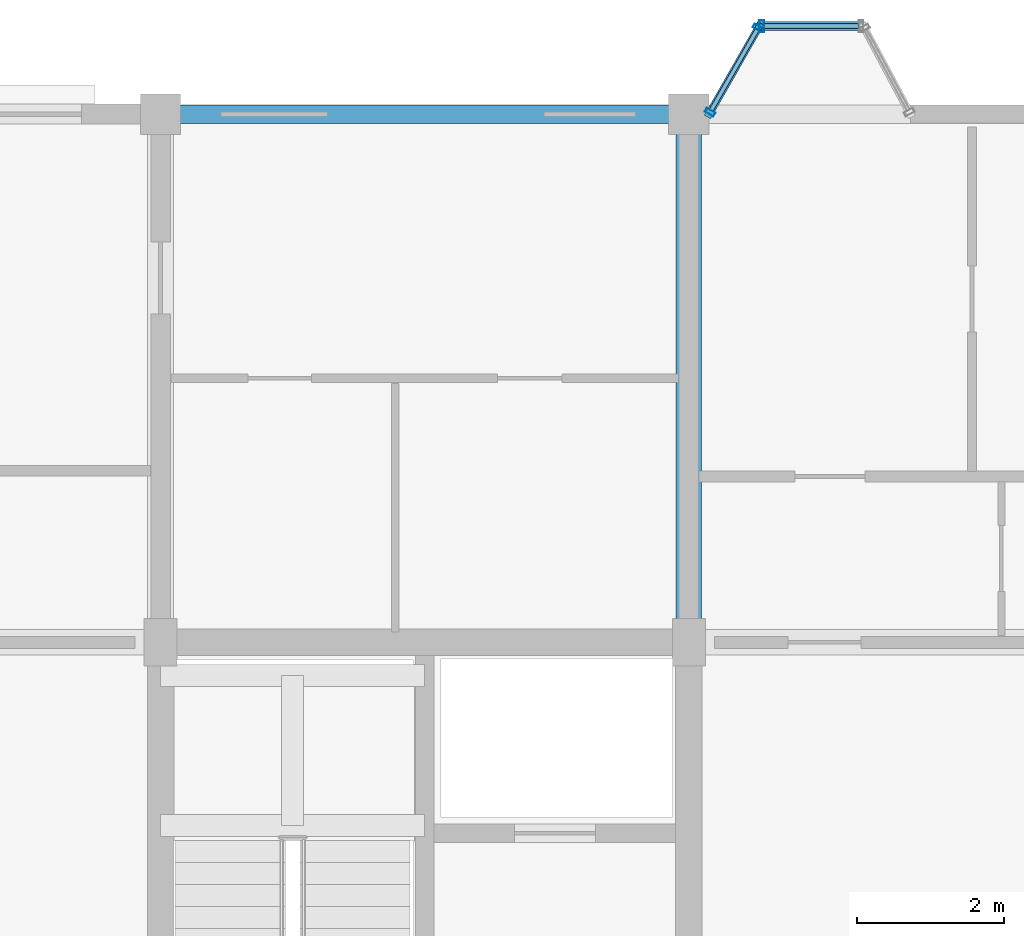
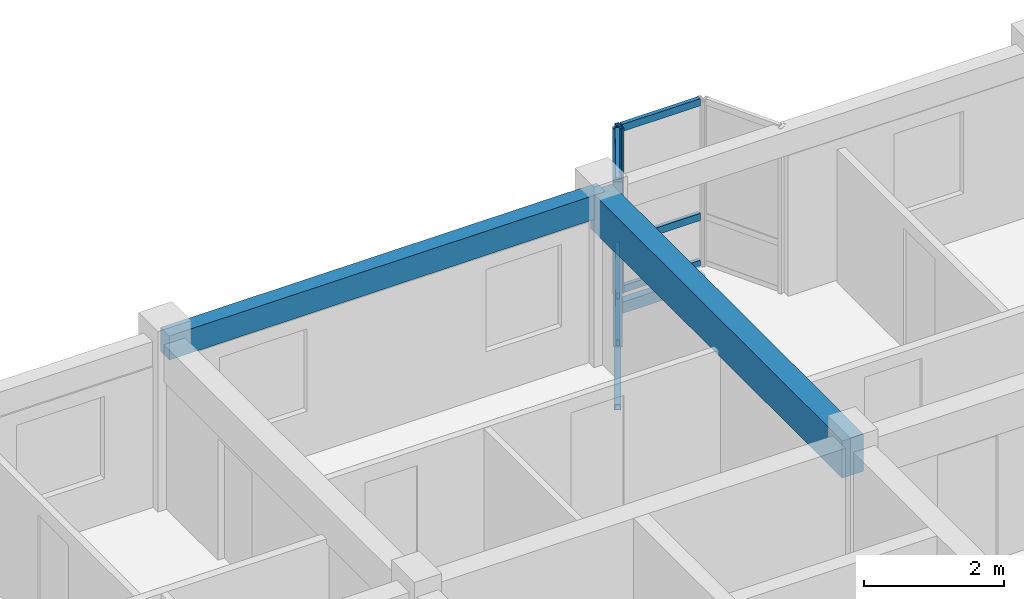
# One storey, part 43 of 77: 11 members, 2 beams, 2 elements without a shape of their own.
"""IFC4 building model written with IfcOpenShell, lengths in metres."""

import ifcopenshell
import ifcopenshell.guid

model = None  # the IFC model being written
_history = None  # IfcOwnerHistory: only IFC2X3 demands one
_inside = {}  # id of a spatial element -> (the spatial element, [elements in it])
_under = {}  # id of a project, library or spatial element -> (it, [spatial elements below it])
_declared = {}  # id of a project -> (the project, [libraries it declares])
_typed = {}  # id of a type object -> (the type object, [elements of that type])
_made_of = {}  # id of a material, layer set ... -> (it, [elements and type objects made of it])


def new_model(schema):
    """Start an empty IFC model of exactly this schema.

    Asked for "IFC4X3", IfcOpenShell would pick the latest addendum, in which some entities
    have other attributes; the version numbers below select the first issue.
    IFC2X3 requires an IfcOwnerHistory on every rooted entity: one is made here for all.
    """
    global model, _history
    if schema == "IFC4X3":
        model = ifcopenshell.file(schema_version=(4, 3, 0, 0))
    else:
        model = ifcopenshell.file(schema=schema)
    _inside.clear()
    _under.clear()
    _declared.clear()
    _typed.clear()
    _made_of.clear()
    _history = None
    if model.schema == "IFC2X3":
        org = make("IfcOrganization", Name="unknown")
        user = make(
            "IfcPersonAndOrganization",
            ThePerson=make("IfcPerson", FamilyName="unknown"),
            TheOrganization=org,
        )
        app = make(
            "IfcApplication",
            ApplicationDeveloper=org,
            Version="unknown",
            ApplicationFullName="unknown",
            ApplicationIdentifier="unknown",
        )
        _history = make(
            "IfcOwnerHistory",
            OwningUser=user,
            OwningApplication=app,
            ChangeAction="ADDED",
            CreationDate=0,
        )
    return model


def make(cls, **values):
    """One entity of the class cls with the attributes given. An attribute that is None is left unset."""
    return model.create_entity(
        cls, **{name: value for name, value in values.items() if value is not None}
    )


def rooted(cls, **values):
    """An entity with a GlobalId (a new one), such as an element, a storey or a relation."""
    return make(cls, GlobalId=ifcopenshell.guid.new(), OwnerHistory=_history, **values)


def si_unit(unit_type, name, prefix=None):
    """IfcSIUnit, for example si_unit("LENGTHUNIT", "METRE", prefix="MILLI")."""
    return make("IfcSIUnit", UnitType=unit_type, Prefix=prefix, Name=name)


def assignment(units):
    """IfcUnitAssignment: the units of a project."""
    return None if units is None else make("IfcUnitAssignment", Units=units)


def point(xyz):
    """IfcCartesianPoint."""
    return None if xyz is None else make("IfcCartesianPoint", Coordinates=xyz)


def direction(xyz):
    """IfcDirection."""
    return None if xyz is None else make("IfcDirection", DirectionRatios=xyz)


def frame(location, z_axis=None, x_axis=None):
    """IfcAxis2Placement3D, a coordinate frame: its origin and axes. An axis left out is left unset."""
    return make(
        "IfcAxis2Placement3D",
        Location=point(location),
        Axis=direction(z_axis),
        RefDirection=direction(x_axis),
    )


def frame_2d(location, x_axis=None):
    """IfcAxis2Placement2D, a coordinate frame in the plane: its origin and x axis."""
    return make(
        "IfcAxis2Placement2D", Location=point(location), RefDirection=direction(x_axis)
    )


def origin():
    """The frame at (0, 0, 0) with its axes left unset."""
    return frame((0.0, 0.0, 0.0))


def origin_2d():
    """The frame at (0, 0) in the plane with its x axis left unset."""
    return frame_2d((0.0, 0.0))


def place(relative_to, where):
    """IfcLocalPlacement: puts the frame where relative to a parent placement (None: the world)."""
    return make(
        "IfcLocalPlacement", PlacementRelTo=relative_to, RelativePlacement=where
    )


def context(
    kind, dimensions, precision=None, world=None, true_north=None, identifier=None
):
    """IfcGeometricRepresentationContext, for example the 3D "Model" context."""
    return make(
        "IfcGeometricRepresentationContext",
        ContextIdentifier=identifier,
        ContextType=kind,
        CoordinateSpaceDimension=dimensions,
        Precision=precision,
        WorldCoordinateSystem=world,
        TrueNorth=true_north,
    )


def subcontext(parent, identifier, kind, view, scale=None):
    """IfcGeometricRepresentationSubContext, for example "Body" below "Model"."""
    return make(
        "IfcGeometricRepresentationSubContext",
        ContextIdentifier=identifier,
        ContextType=kind,
        ParentContext=parent,
        TargetScale=scale,
        TargetView=view,
    )


def project(units=None, contexts=None):
    """IfcProject with its units and contexts."""
    return rooted(
        "IfcProject",
        Name="project",
        RepresentationContexts=contexts,
        UnitsInContext=assignment(units),
    )


def spatial(cls, under=None, at=None, **own):
    """A site, building, storey or space (cls), placed at a placement, below another one or the project."""
    s = rooted(cls, ObjectPlacement=at, **own)
    if under is not None:
        _under.setdefault(under.id(), (under, []))[1].append(s)
    return s


def profile(cls, at=None, kind="AREA", **sizes):
    """A parametric profile (cls). Its sizes go by their IFC names, for example OverallWidth=200.0."""
    return make(cls, ProfileType=kind, Position=at, **sizes)


def rectangle(**sizes):
    """IfcRectangleProfileDef."""
    return profile("IfcRectangleProfileDef", **sizes)


def hollow_rectangle(**sizes):
    """IfcRectangleHollowProfileDef."""
    return profile("IfcRectangleHollowProfileDef", **sizes)


def extrude(swept, where, along, depth):
    """IfcExtrudedAreaSolid: the profile swept, set in the frame where, extruded along a direction by depth."""
    return make(
        "IfcExtrudedAreaSolid",
        SweptArea=swept,
        Position=where,
        ExtrudedDirection=direction(along),
        Depth=depth,
    )


def shape(context_of_items, identifier, shape_type, items):
    """IfcShapeRepresentation: the items that make up one representation, for example the "Body"."""
    return make(
        "IfcShapeRepresentation",
        ContextOfItems=context_of_items,
        RepresentationIdentifier=identifier,
        RepresentationType=shape_type,
        Items=items,
    )


def material(Name=None, Category=None):
    """IfcMaterial."""
    return make("IfcMaterial", Name=Name, Category=Category)


def layer(
    of_material, thickness, ventilated=None, Name=None, Category=None, Priority=None
):
    """IfcMaterialLayer: one layer of a wall or slab, of a material (None: an air gap)."""
    return make(
        "IfcMaterialLayer",
        Material=of_material,
        LayerThickness=thickness,
        IsVentilated=ventilated,
        Name=Name,
        Category=Category,
        Priority=Priority,
    )


def layer_set(layers, Name=None):
    """IfcMaterialLayerSet."""
    return make("IfcMaterialLayerSet", MaterialLayers=layers, LayerSetName=Name)


def material_profile(
    of_material, cross_section, Name=None, Category=None, Priority=None
):
    """IfcMaterialProfile: a cross section and its material."""
    return make(
        "IfcMaterialProfile",
        Name=Name,
        Material=of_material,
        Profile=cross_section,
        Priority=Priority,
        Category=Category,
    )


def profile_set(profiles, Name=None, composite=None):
    """IfcMaterialProfileSet."""
    return make(
        "IfcMaterialProfileSet",
        Name=Name,
        MaterialProfiles=profiles,
        CompositeProfile=composite,
    )


def made_of(thing, what):
    """Note that an element or type object is made of a material, layer set ...; save() writes the relation."""
    if what is not None:
        _made_of.setdefault(what.id(), (what, []))[1].append(thing)
    return thing


def type_object(cls, material=None, **own):
    """A type object (cls), such as IfcWallType, which elements share."""
    return made_of(rooted(cls, **own), material)


def element(
    cls,
    number,
    at=None,
    inside=None,
    cuts=None,
    type_object=None,
    material=None,
    context=None,
    identifier="Body",
    shape_type=None,
    held_by="IfcProductDefinitionShape",
    body=None,
    shapes=None,
    **own,
):
    """One element of the class cls, such as IfcWall. Its Tag is "e" and its number.

    at: its placement. inside: the storey or other place that contains it. cuts: it is an
    opening in that element (IfcRelVoidsElement). A single representation is given by context,
    identifier, shape_type and body (its items); several are given by shapes. held_by: the class
    of the entity that holds the representations. save() writes the other relations.
    """
    e = rooted(cls, Tag="e%d" % number, ObjectPlacement=at, **own)
    if body is not None:
        shapes = [shape(context, identifier, shape_type, body)]
    if shapes is not None:
        e.Representation = make(held_by, Representations=shapes)
    if inside is not None:
        _inside.setdefault(inside.id(), (inside, []))[1].append(e)
    if cuts is not None:
        rooted(
            "IfcRelVoidsElement", RelatingBuildingElement=cuts, RelatedOpeningElement=e
        )
    if type_object is not None:
        _typed.setdefault(type_object.id(), (type_object, []))[1].append(e)
    return made_of(e, material)


def aggregate(whole, parts):
    """IfcRelAggregates: a whole, such as a stair, and the parts it consists of."""
    return rooted("IfcRelAggregates", RelatingObject=whole, RelatedObjects=parts)


def save(model, path):
    """Write the relations noted so far, then the file.

    IfcRelAggregates (storeys below a building ...), IfcRelContainedInSpatialStructure (elements
    in a storey), IfcRelDefinesByType, IfcRelAssociatesMaterial and IfcRelDeclares: one each for
    every whole, place, type object, material and project.
    """
    for whole, parts in _under.values():
        aggregate(whole, parts)
    for where, things in _inside.values():
        rooted(
            "IfcRelContainedInSpatialStructure",
            RelatedElements=things,
            RelatingStructure=where,
        )
    for kind, things in _typed.values():
        rooted("IfcRelDefinesByType", RelatedObjects=things, RelatingType=kind)
    for what, things in _made_of.values():
        rooted("IfcRelAssociatesMaterial", RelatedObjects=things, RelatingMaterial=what)
    for by, libraries in _declared.values():
        rooted("IfcRelDeclares", RelatingContext=by, RelatedDefinitions=libraries)
    model.write(path)


model = new_model("IFC4")

# Units and contexts
model_context = context("Model", 3, precision=1e-05, world=origin(), true_north=direction((0.0, 1.0)))
body_context = subcontext(model_context, "Body", "Model", "MODEL_VIEW")
ifc_project = project(units=[si_unit("LENGTHUNIT", "METRE"), si_unit("AREAUNIT", "SQUARE_METRE"), si_unit("VOLUMEUNIT", "CUBIC_METRE"), si_unit("PLANEANGLEUNIT", "RADIAN"), si_unit("MASSUNIT", "GRAM", prefix="KILO"), si_unit("THERMODYNAMICTEMPERATUREUNIT", "KELVIN"), si_unit("POWERUNIT", "WATT")], contexts=[model_context])

# Site, building, storey
site_placement = place(None, origin())
site = spatial("IfcSite", under=ifc_project, at=site_placement, CompositionType="ELEMENT")
building_placement = place(site_placement, origin())
building = spatial("IfcBuilding", under=site, at=building_placement, Name="Tavuni Mirador Residences", CompositionType="ELEMENT")
storey_placement = place(building_placement, frame((0.0, 0.0, 10.800048828125)))
storey = spatial("IfcBuildingStorey", under=building, at=storey_placement, Name="L03", CompositionType="ELEMENT", Elevation=10.800048828125)

# Beams
ifc_material_1 = material(Name="Precast concrete C40/50", Category="concrete")
ifc_material_profile_1 = material_profile(ifc_material_1, rectangle(XDim=0.35009765625, YDim=0.64990234375, at=origin_2d()), Name="PC 350x650", Category="concrete")
ifc_profile_set_1 = profile_set([ifc_material_profile_1], Name="Precast concrete C40/50")
beam_type_1 = type_object("IfcBeamType", Name="BT-B650", PredefinedType="BEAM", material=ifc_profile_set_1)
beam_1_placement = place(storey_placement, frame((32.39990234375, 165.60009765625, 2.56005859375), z_axis=(0.0, 1.0, 0.0), x_axis=(-1.0, 0.0, 0.0)))
element("IfcBeam", 1, at=beam_1_placement, inside=storey, type_object=beam_type_1, Name="BMY-BLK-C-L03-03-03", PredefinedType="BEAM", context=body_context, shape_type="SweptSolid", body=[
    extrude(rectangle(XDim=0.35009765625, YDim=0.64990234375, at=origin_2d()), origin(), (0.0, 0.0, 1.0), 7.199951171875),
])
ifc_material_profile_2 = material_profile(ifc_material_1, rectangle(XDim=0.25, YDim=0.419921875, at=origin_2d()), Name="PC 250x420", Category="concrete")
ifc_profile_set_2 = profile_set([ifc_material_profile_2], Name="Precast concrete C40/50")
beam_type_2 = type_object("IfcBeamType", Name="BT-SP420", PredefinedType="SPANDREL", material=ifc_profile_set_2)
beam_2_placement = place(storey_placement, frame((25.199951171875, 172.800048828125, 2.675048828125), z_axis=(1.0, 0.0, 0.0), x_axis=(0.0, 1.0, 0.0)))
element("IfcBeam", 2, at=beam_2_placement, inside=storey, type_object=beam_type_2, Name="BMX-BLK-C-L03-02-04", PredefinedType="SPANDREL", context=body_context, shape_type="SweptSolid", body=[
    extrude(rectangle(XDim=0.25, YDim=0.419921875, at=origin_2d()), origin(), (0.0, 0.0, 1.0), 7.199951171875),
])

# Curtain wall, members
ifc_material_2 = material(Name="Anodised aluminium", Category="aluminium")
ifc_layer_1 = layer(ifc_material_2, 0.175048828125, Name="Anodised aluminium", Category="aluminium")
ifc_layer_set_1 = layer_set([ifc_layer_1], Name="Anodised aluminium")
curtain_wall_type_1 = type_object("IfcCurtainWallType", Name="CWT-MIR-C", PredefinedType="NOTDEFINED", material=ifc_layer_set_1)
curtain_wall_1_placement = place(storey_placement, origin())
curtain_wall_1 = element("IfcCurtainWall", 3, at=curtain_wall_1_placement, inside=storey, type_object=curtain_wall_type_1, Name="CW-MIR-C-N2-L03-M2", PredefinedType="NOTDEFINED")
ifc_material_profile_3 = material_profile(ifc_material_2, hollow_rectangle(XDim=0.06005859375, YDim=0.139892578125, WallThickness=0.00390625, at=origin_2d()), Name="ALU 60x140x4.0", Category="aluminium")
ifc_profile_set_3 = profile_set([ifc_material_profile_3], Name="Anodised aluminium")
member_type_1 = type_object("IfcMemberType", Name="CWM-140", PredefinedType="MULLION", material=ifc_profile_set_3)
member_1_placement = place(storey_placement, frame((33.34521484375, 173.973876953125, 0.0), z_axis=(0.0, 0.0, 1.0), x_axis=(-0.495749192217, -0.868465738194, 0.0)))
member_1 = element("IfcMember", 4, at=member_1_placement, type_object=member_type_1, Name="CW-03 mullion 1", PredefinedType="MULLION", context=body_context, shape_type="SweptSolid", body=[
    extrude(hollow_rectangle(XDim=0.06005859375, YDim=0.139892578125, WallThickness=0.00390625, at=origin_2d()), origin(), (0.0, 0.0, 1.0), 2.885009765625),
])
member_2_placement = place(storey_placement, frame((32.68994140625, 172.826171875, 0.0), z_axis=(0.0, 0.0, 1.0), x_axis=(-0.495749192217, -0.868465738194, 0.0)))
member_2 = element("IfcMember", 5, at=member_2_placement, type_object=member_type_1, Name="CW-03 mullion 2", PredefinedType="MULLION", context=body_context, shape_type="SweptSolid", body=[
    extrude(hollow_rectangle(XDim=0.06005859375, YDim=0.139892578125, WallThickness=0.00390625, at=origin_2d()), origin(), (0.0, 0.0, 1.0), 2.885009765625),
])

# Curtain wall, member
ifc_layer_2 = layer(ifc_material_2, 0.14990234375, Name="Anodised aluminium", Category="aluminium")
ifc_layer_set_2 = layer_set([ifc_layer_2], Name="Anodised aluminium")
curtain_wall_type_2 = type_object("IfcCurtainWallType", Name="CWT-MIR-B", PredefinedType="NOTDEFINED", material=ifc_layer_set_2)
curtain_wall_2_placement = place(storey_placement, origin())
curtain_wall_2 = element("IfcCurtainWall", 6, at=curtain_wall_2_placement, inside=storey, type_object=curtain_wall_type_2, Name="CW-MIR-C-N2-L03-MF", PredefinedType="NOTDEFINED")
ifc_material_profile_4 = material_profile(ifc_material_2, hollow_rectangle(XDim=0.06494140625, YDim=0.1650390625, WallThickness=0.00439453125, at=origin_2d()), Name="ALU 65x165x4.5", Category="aluminium")
ifc_profile_set_4 = profile_set([ifc_material_profile_4], Name="Anodised aluminium")
member_type_2 = type_object("IfcMemberType", Name="CWM-165", PredefinedType="MULLION", material=ifc_profile_set_4)
member_3_placement = place(storey_placement, frame((33.392578125, 174.0, 0.0), z_axis=(0.0, 0.0, 1.0), x_axis=(-1.0, 0.0, 0.0)))
member_3 = element("IfcMember", 7, at=member_3_placement, type_object=member_type_2, Name="CW-02 mullion 2", PredefinedType="MULLION", context=body_context, shape_type="SweptSolid", body=[
    extrude(hollow_rectangle(XDim=0.06494140625, YDim=0.1650390625, WallThickness=0.00439453125, at=origin_2d()), origin(), (0.0, 0.0, 1.0), 2.885009765625),
])

# Member
ifc_material_profile_5 = material_profile(ifc_material_2, hollow_rectangle(XDim=0.06005859375, YDim=0.110107421875, WallThickness=0.00390625, at=origin_2d()), Name="ALU 60x110x4.0", Category="aluminium")
ifc_profile_set_5 = profile_set([ifc_material_profile_5], Name="Anodised aluminium")
member_type_3 = type_object("IfcMemberType", Name="CWT-110", PredefinedType="USERDEFINED", material=ifc_profile_set_5)
member_4_placement = place(storey_placement, frame((33.330322265625, 173.947998046875, 0.030029296875), z_axis=(-0.49568048457, -0.868504955205, 0.0), x_axis=(0.868504955205, -0.49568048457, 0.0)))
member_4 = element("IfcMember", 8, at=member_4_placement, type_object=member_type_3, Name="CW-03 transom 1.1", ObjectType="TRANSOM", PredefinedType="USERDEFINED", context=body_context, shape_type="SweptSolid", body=[
    extrude(hollow_rectangle(XDim=0.06005859375, YDim=0.110107421875, WallThickness=0.00390625, at=origin_2d()), origin(), (0.0, 0.0, 1.0), 1.261962890625),
])

member_5_placement = place(storey_placement, frame((33.330322265625, 173.947998046875, 0.849853515625), z_axis=(-0.49568048457, -0.868504955205, 0.0), x_axis=(0.868504955205, -0.49568048457, 0.0)))
member_5 = element("IfcMember", 9, at=member_5_placement, type_object=member_type_3, Name="CW-03 transom 1.2", ObjectType="TRANSOM", PredefinedType="USERDEFINED", context=body_context, shape_type="SweptSolid", body=[
    extrude(hollow_rectangle(XDim=0.06005859375, YDim=0.110107421875, WallThickness=0.00390625, at=origin_2d()), origin(), (0.0, 0.0, 1.0), 1.261962890625),
])

member_6_placement = place(storey_placement, frame((33.330322265625, 173.947998046875, 2.85498046875), z_axis=(-0.49568048457, -0.868504955205, 0.0), x_axis=(0.868504955205, -0.49568048457, 0.0)))
member_6 = element("IfcMember", 10, at=member_6_placement, type_object=member_type_3, Name="CW-03 transom 1.3", ObjectType="TRANSOM", PredefinedType="USERDEFINED", context=body_context, shape_type="SweptSolid", body=[
    extrude(hollow_rectangle(XDim=0.06005859375, YDim=0.110107421875, WallThickness=0.00390625, at=origin_2d()), origin(), (0.0, 0.0, 1.0), 1.261962890625),
])

aggregate(curtain_wall_1, [member_1, member_2, member_4, member_5, member_6])

ifc_material_profile_6 = material_profile(ifc_material_2, hollow_rectangle(XDim=0.06494140625, YDim=0.125, WallThickness=0.00439453125, at=origin_2d()), Name="ALU 65x125x4.5", Category="aluminium")
ifc_profile_set_6 = profile_set([ifc_material_profile_6], Name="Anodised aluminium")
member_type_4 = type_object("IfcMemberType", Name="CWT-125", PredefinedType="USERDEFINED", material=ifc_profile_set_6)
member_7_placement = place(storey_placement, frame((34.715087890625, 174.0, 0.032470703125), z_axis=(-1.0, 0.0, 0.0), x_axis=(0.0, -1.0, 0.0)))
member_7 = element("IfcMember", 11, at=member_7_placement, type_object=member_type_4, Name="CW-02 transom 1.1", ObjectType="TRANSOM", PredefinedType="USERDEFINED", context=body_context, shape_type="SweptSolid", body=[
    extrude(hollow_rectangle(XDim=0.06494140625, YDim=0.125, WallThickness=0.00439453125, at=origin_2d()), origin(), (0.0, 0.0, 1.0), 1.2900390625),
])

member_8_placement = place(storey_placement, frame((34.715087890625, 174.0, 0.849853515625), z_axis=(-1.0, 0.0, 0.0), x_axis=(0.0, -1.0, 0.0)))
member_8 = element("IfcMember", 12, at=member_8_placement, type_object=member_type_4, Name="CW-02 transom 1.2", ObjectType="TRANSOM", PredefinedType="USERDEFINED", context=body_context, shape_type="SweptSolid", body=[
    extrude(hollow_rectangle(XDim=0.06494140625, YDim=0.125, WallThickness=0.00439453125, at=origin_2d()), origin(), (0.0, 0.0, 1.0), 1.2900390625),
])

member_9_placement = place(storey_placement, frame((34.715087890625, 174.0, 2.8525390625), z_axis=(-1.0, 0.0, 0.0), x_axis=(0.0, -1.0, 0.0)))
member_9 = element("IfcMember", 13, at=member_9_placement, type_object=member_type_4, Name="CW-02 transom 1.3", ObjectType="TRANSOM", PredefinedType="USERDEFINED", context=body_context, shape_type="SweptSolid", body=[
    extrude(hollow_rectangle(XDim=0.06494140625, YDim=0.125, WallThickness=0.00439453125, at=origin_2d()), origin(), (0.0, 0.0, 1.0), 1.2900390625),
])

aggregate(curtain_wall_2, [member_3, member_7, member_8, member_9])

# Members
ifc_material_3 = material(Name="Structural steel S355", Category="steel")
ifc_material_profile_7 = material_profile(ifc_material_3, hollow_rectangle(XDim=0.10009765625, YDim=0.179931640625, WallThickness=0.008056640625, at=origin_2d()), Name="RHS 180x100x8.0", Category="steel")
ifc_profile_set_7 = profile_set([ifc_material_profile_7], Name="Structural steel S355")
member_type_5 = type_object("IfcMemberType", Name="MT-BR-RHS180", PredefinedType="BRACE", material=ifc_profile_set_7)
member_10_placement = place(storey_placement, frame((32.675048828125, 172.800048828125, -1.050048828125), z_axis=(0.431095380922, 0.755108267011, 0.493931450344), x_axis=(-0.868438794398, 0.495796390047, 0.0)))
element("IfcMember", 14, at=member_10_placement, inside=storey, type_object=member_type_5, Name="MBRK-MIR-C-N2-L03-1", PredefinedType="BRACE", context=body_context, shape_type="SweptSolid", body=[
    extrude(hollow_rectangle(XDim=0.10009765625, YDim=0.179931640625, WallThickness=0.008056640625, at=origin_2d()), origin(), (0.0, 0.0, 1.0), 1.589111328125),
])
ifc_material_profile_8 = material_profile(ifc_material_3, hollow_rectangle(XDim=0.1201171875, YDim=0.199951171875, WallThickness=0.010009765625, at=origin_2d()), Name="RHS 200x120x10.0", Category="steel")
ifc_profile_set_8 = profile_set([ifc_material_profile_8], Name="Structural steel S355")
member_type_6 = type_object("IfcMemberType", Name="MT-ST-RHS200", PredefinedType="STRUT", material=ifc_profile_set_8)
member_11_placement = place(storey_placement, frame((33.360107421875, 174.0, -0.26513671875), z_axis=(1.0, 0.0, 0.0), x_axis=(0.0, 1.0, 0.0)))
element("IfcMember", 15, at=member_11_placement, inside=storey, type_object=member_type_6, Name="MRIM-MIR-C-N2-L03", PredefinedType="STRUT", context=body_context, shape_type="SweptSolid", body=[
    extrude(hollow_rectangle(XDim=0.1201171875, YDim=0.199951171875, WallThickness=0.010009765625, at=origin_2d()), origin(), (0.0, 0.0, 1.0), 1.419921875),
])

save(model, "model.ifc")
